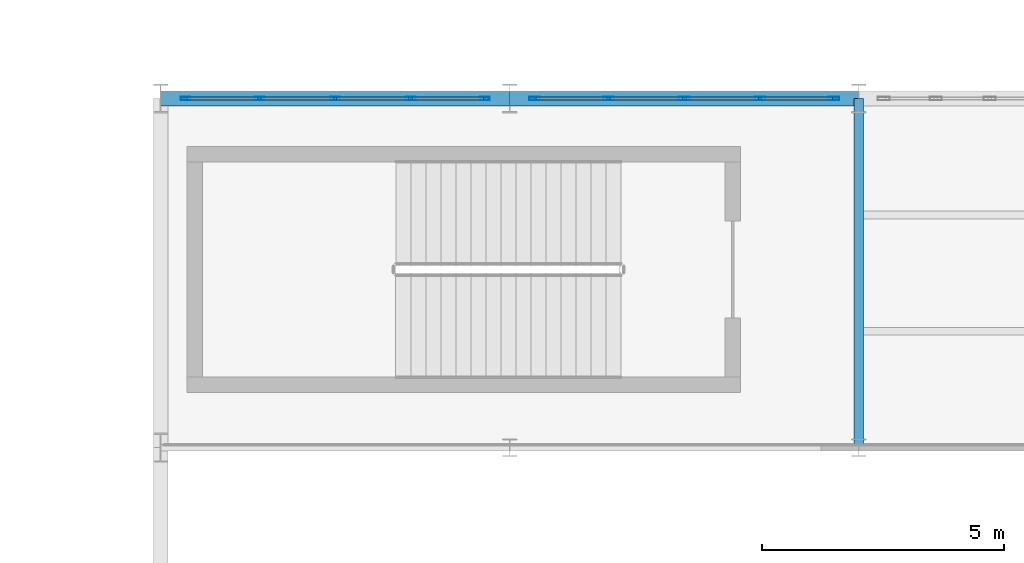
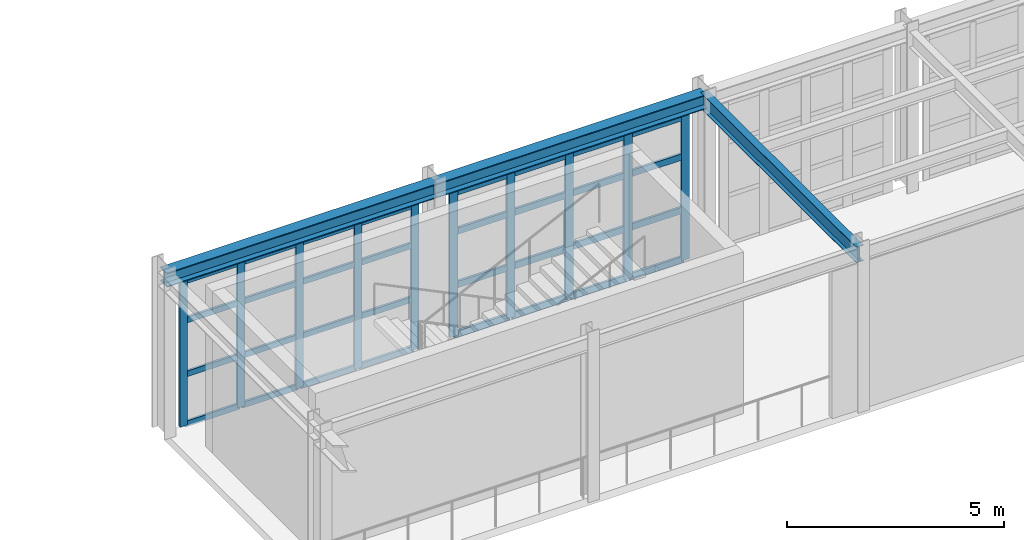
# One storey, part 59 of 121: 42 members, 3 beams, 2 elements without a shape of their own.
"""IFC4 building model written with IfcOpenShell, lengths in metres."""

from ifc_helpers import new_model, si_unit, direction, frame, origin, origin_2d, place, context, subcontext, project, spatial, hollow_rectangle, i_section, extrude, material, layer, layer_set, material_profile, profile_set, type_object, element, aggregate, save


model = new_model("IFC4")

# Units and contexts
model_context = context("Model", 3, precision=1e-05, world=origin(), true_north=direction((0.0, 1.0)))
body_context = subcontext(model_context, "Body", "Model", "MODEL_VIEW")
ifc_project = project(units=[si_unit("LENGTHUNIT", "METRE"), si_unit("AREAUNIT", "SQUARE_METRE"), si_unit("VOLUMEUNIT", "CUBIC_METRE"), si_unit("PLANEANGLEUNIT", "RADIAN"), si_unit("MASSUNIT", "GRAM", prefix="KILO")], contexts=[model_context])

# Site, building, storey
site_placement = place(None, origin())
site = spatial("IfcSite", under=ifc_project, at=site_placement, CompositionType="ELEMENT")
building_placement = place(site_placement, origin())
building = spatial("IfcBuilding", under=site, at=building_placement, Name="Solvadek Multi-Sports Hall", CompositionType="ELEMENT")
storey_placement = place(building_placement, frame((0.0, 0.0, 4.800048828125)))
storey = spatial("IfcBuildingStorey", under=building, at=storey_placement, Name="L01", CompositionType="ELEMENT", Elevation=4.800048828125)

# Curtain wall, members
ifc_material_1 = material(Name="Anodised aluminium", Category="aluminium")
ifc_layer_1 = layer(ifc_material_1, 0.159912109375, Name="Anodised aluminium")
ifc_layer_set_1 = layer_set([ifc_layer_1], Name="Anodised aluminium")
curtain_wall_type_1 = type_object("IfcCurtainWallType", Name="ENV-CW-624X410", PredefinedType="USERDEFINED", material=ifc_layer_set_1)
curtain_wall_1_placement = place(storey_placement, origin())
curtain_wall_1 = element("IfcCurtainWall", 1, at=curtain_wall_1_placement, inside=storey, type_object=curtain_wall_type_1, Name="L01 Perimeter Bay Curtain Wall #130", ObjectType="CURTAIN WALL", PredefinedType="USERDEFINED")
ifc_material_profile_1 = material_profile(ifc_material_1, hollow_rectangle(XDim=0.06494140625, YDim=0.199951171875, WallThickness=0.0048828125, at=origin_2d()), Name="ALU-M 200x65x5")
ifc_profile_set_1 = profile_set([ifc_material_profile_1], Name="Anodised aluminium")
member_type_1 = type_object("IfcMemberType", Name="ENV-CWM-03", PredefinedType="MULLION", material=ifc_profile_set_1)
member_1_placement = place(storey_placement, frame((137.3125, 70.800048828125, 0.0), z_axis=(0.0, 0.0, 1.0), x_axis=(0.0, 1.0, 0.0)))
member_1 = element("IfcMember", 2, at=member_1_placement, type_object=member_type_1, Name="CW-39 mullion 1", PredefinedType="MULLION", context=body_context, shape_type="SweptSolid", body=[
    extrude(hollow_rectangle(XDim=0.06494140625, YDim=0.199951171875, WallThickness=0.0048828125, at=origin_2d()), origin(), (0.0, 0.0, 1.0), 4.099853515625),
])
member_2_placement = place(storey_placement, frame((138.840087890625, 70.800048828125, 0.0), z_axis=(0.0, 0.0, 1.0), x_axis=(0.0, 1.0, 0.0)))
member_2 = element("IfcMember", 3, at=member_2_placement, type_object=member_type_1, Name="CW-39 mullion 2", PredefinedType="MULLION", context=body_context, shape_type="SweptSolid", body=[
    extrude(hollow_rectangle(XDim=0.06494140625, YDim=0.199951171875, WallThickness=0.0048828125, at=origin_2d()), origin(), (0.0, 0.0, 1.0), 4.099853515625),
])
member_3_placement = place(storey_placement, frame((140.39990234375, 70.800048828125, 0.0), z_axis=(0.0, 0.0, 1.0), x_axis=(0.0, 1.0, 0.0)))
member_3 = element("IfcMember", 4, at=member_3_placement, type_object=member_type_1, Name="CW-39 mullion 3", PredefinedType="MULLION", context=body_context, shape_type="SweptSolid", body=[
    extrude(hollow_rectangle(XDim=0.06494140625, YDim=0.199951171875, WallThickness=0.0048828125, at=origin_2d()), origin(), (0.0, 0.0, 1.0), 4.099853515625),
])
member_4_placement = place(storey_placement, frame((141.9599609375, 70.800048828125, 0.0), z_axis=(0.0, 0.0, 1.0), x_axis=(0.0, 1.0, 0.0)))
member_4 = element("IfcMember", 5, at=member_4_placement, type_object=member_type_1, Name="CW-39 mullion 4", PredefinedType="MULLION", context=body_context, shape_type="SweptSolid", body=[
    extrude(hollow_rectangle(XDim=0.06494140625, YDim=0.199951171875, WallThickness=0.0048828125, at=origin_2d()), origin(), (0.0, 0.0, 1.0), 4.099853515625),
])
member_5_placement = place(storey_placement, frame((143.487548828125, 70.800048828125, 0.0), z_axis=(0.0, 0.0, 1.0), x_axis=(0.0, 1.0, 0.0)))
member_5 = element("IfcMember", 6, at=member_5_placement, type_object=member_type_1, Name="CW-39 mullion 5", PredefinedType="MULLION", context=body_context, shape_type="SweptSolid", body=[
    extrude(hollow_rectangle(XDim=0.06494140625, YDim=0.199951171875, WallThickness=0.0048828125, at=origin_2d()), origin(), (0.0, 0.0, 1.0), 4.099853515625),
])

ifc_layer_2 = layer(ifc_material_1, 0.159912109375, Name="Anodised aluminium")
ifc_layer_set_2 = layer_set([ifc_layer_2], Name="Anodised aluminium")
curtain_wall_type_2 = type_object("IfcCurtainWallType", Name="ENV-CW-624X408", PredefinedType="USERDEFINED", material=ifc_layer_set_2)
curtain_wall_2_placement = place(storey_placement, origin())
curtain_wall_2 = element("IfcCurtainWall", 7, at=curtain_wall_2_placement, inside=storey, type_object=curtain_wall_type_2, Name="L01 Perimeter Bay Curtain Wall #133", ObjectType="CURTAIN WALL", PredefinedType="USERDEFINED")
ifc_material_profile_2 = material_profile(ifc_material_1, hollow_rectangle(XDim=0.06494140625, YDim=0.219970703125, WallThickness=0.0048828125, at=origin_2d()), Name="ALU-M 220x65x5")
ifc_profile_set_2 = profile_set([ifc_material_profile_2], Name="Anodised aluminium")
member_type_2 = type_object("IfcMemberType", Name="ENV-CWM-04", PredefinedType="MULLION", material=ifc_profile_set_2)
member_6_placement = place(storey_placement, frame((144.512451171875, 70.800048828125, 0.0), z_axis=(0.0, 0.0, 1.0), x_axis=(0.0, 1.0, 0.0)))
member_6 = element("IfcMember", 8, at=member_6_placement, type_object=member_type_2, Name="CW-40 mullion 1", PredefinedType="MULLION", context=body_context, shape_type="SweptSolid", body=[
    extrude(hollow_rectangle(XDim=0.06494140625, YDim=0.219970703125, WallThickness=0.0048828125, at=origin_2d()), origin(), (0.0, 0.0, 1.0), 4.074951171875),
])
member_7_placement = place(storey_placement, frame((146.0400390625, 70.800048828125, 0.0), z_axis=(0.0, 0.0, 1.0), x_axis=(0.0, 1.0, 0.0)))
member_7 = element("IfcMember", 9, at=member_7_placement, type_object=member_type_2, Name="CW-40 mullion 2", PredefinedType="MULLION", context=body_context, shape_type="SweptSolid", body=[
    extrude(hollow_rectangle(XDim=0.06494140625, YDim=0.219970703125, WallThickness=0.0048828125, at=origin_2d()), origin(), (0.0, 0.0, 1.0), 4.074951171875),
])
member_8_placement = place(storey_placement, frame((147.60009765625, 70.800048828125, 0.0), z_axis=(0.0, 0.0, 1.0), x_axis=(0.0, 1.0, 0.0)))
member_8 = element("IfcMember", 10, at=member_8_placement, type_object=member_type_2, Name="CW-40 mullion 3", PredefinedType="MULLION", context=body_context, shape_type="SweptSolid", body=[
    extrude(hollow_rectangle(XDim=0.06494140625, YDim=0.219970703125, WallThickness=0.0048828125, at=origin_2d()), origin(), (0.0, 0.0, 1.0), 4.074951171875),
])
member_9_placement = place(storey_placement, frame((149.159912109375, 70.800048828125, 0.0), z_axis=(0.0, 0.0, 1.0), x_axis=(0.0, 1.0, 0.0)))
member_9 = element("IfcMember", 11, at=member_9_placement, type_object=member_type_2, Name="CW-40 mullion 4", PredefinedType="MULLION", context=body_context, shape_type="SweptSolid", body=[
    extrude(hollow_rectangle(XDim=0.06494140625, YDim=0.219970703125, WallThickness=0.0048828125, at=origin_2d()), origin(), (0.0, 0.0, 1.0), 4.074951171875),
])
member_10_placement = place(storey_placement, frame((150.6875, 70.800048828125, 0.0), z_axis=(0.0, 0.0, 1.0), x_axis=(0.0, 1.0, 0.0)))
member_10 = element("IfcMember", 12, at=member_10_placement, type_object=member_type_2, Name="CW-40 mullion 5", PredefinedType="MULLION", context=body_context, shape_type="SweptSolid", body=[
    extrude(hollow_rectangle(XDim=0.06494140625, YDim=0.219970703125, WallThickness=0.0048828125, at=origin_2d()), origin(), (0.0, 0.0, 1.0), 4.074951171875),
])

# Member
ifc_material_profile_3 = material_profile(ifc_material_1, hollow_rectangle(XDim=0.06494140625, YDim=0.159912109375, WallThickness=0.00390625, at=origin_2d()), Name="ALU-T 160x65x4")
ifc_profile_set_3 = profile_set([ifc_material_profile_3], Name="Anodised aluminium")
member_type_3 = type_object("IfcMemberType", Name="ENV-CWT-03", PredefinedType="USERDEFINED", material=ifc_profile_set_3)
member_11_placement = place(storey_placement, frame((137.344970703125, 70.800048828125, 0.032470703125), z_axis=(1.0, 0.0, 0.0), x_axis=(0.0, 1.0, 0.0)))
member_11 = element("IfcMember", 13, at=member_11_placement, type_object=member_type_3, Name="CW-39 transom 1.1", ObjectType="TRANSOM", PredefinedType="USERDEFINED", context=body_context, shape_type="SweptSolid", body=[
    extrude(hollow_rectangle(XDim=0.06494140625, YDim=0.159912109375, WallThickness=0.00390625, at=origin_2d()), origin(), (0.0, 0.0, 1.0), 1.462646484375),
])

member_12_placement = place(storey_placement, frame((137.344970703125, 70.800048828125, 1.43505859375), z_axis=(1.0, 0.0, 0.0), x_axis=(0.0, 1.0, 0.0)))
member_12 = element("IfcMember", 14, at=member_12_placement, type_object=member_type_3, Name="CW-39 transom 1.2", ObjectType="TRANSOM", PredefinedType="USERDEFINED", context=body_context, shape_type="SweptSolid", body=[
    extrude(hollow_rectangle(XDim=0.06494140625, YDim=0.159912109375, WallThickness=0.00390625, at=origin_2d()), origin(), (0.0, 0.0, 1.0), 1.462646484375),
])

member_13_placement = place(storey_placement, frame((137.344970703125, 70.800048828125, 2.951904296875), z_axis=(1.0, 0.0, 0.0), x_axis=(0.0, 1.0, 0.0)))
member_13 = element("IfcMember", 15, at=member_13_placement, type_object=member_type_3, Name="CW-39 transom 1.3", ObjectType="TRANSOM", PredefinedType="USERDEFINED", context=body_context, shape_type="SweptSolid", body=[
    extrude(hollow_rectangle(XDim=0.06494140625, YDim=0.159912109375, WallThickness=0.00390625, at=origin_2d()), origin(), (0.0, 0.0, 1.0), 1.462646484375),
])

member_14_placement = place(storey_placement, frame((137.344970703125, 70.800048828125, 4.0673828125), z_axis=(1.0, 0.0, 0.0), x_axis=(0.0, 1.0, 0.0)))
member_14 = element("IfcMember", 16, at=member_14_placement, type_object=member_type_3, Name="CW-39 transom 1.4", ObjectType="TRANSOM", PredefinedType="USERDEFINED", context=body_context, shape_type="SweptSolid", body=[
    extrude(hollow_rectangle(XDim=0.06494140625, YDim=0.159912109375, WallThickness=0.00390625, at=origin_2d()), origin(), (0.0, 0.0, 1.0), 1.462646484375),
])

member_15_placement = place(storey_placement, frame((138.87255859375, 70.800048828125, 0.032470703125), z_axis=(1.0, 0.0, 0.0), x_axis=(0.0, 1.0, 0.0)))
member_15 = element("IfcMember", 17, at=member_15_placement, type_object=member_type_3, Name="CW-39 transom 2.1", ObjectType="TRANSOM", PredefinedType="USERDEFINED", context=body_context, shape_type="SweptSolid", body=[
    extrude(hollow_rectangle(XDim=0.06494140625, YDim=0.159912109375, WallThickness=0.00390625, at=origin_2d()), origin(), (0.0, 0.0, 1.0), 1.494873046875),
])

member_16_placement = place(storey_placement, frame((138.87255859375, 70.800048828125, 1.43505859375), z_axis=(1.0, 0.0, 0.0), x_axis=(0.0, 1.0, 0.0)))
member_16 = element("IfcMember", 18, at=member_16_placement, type_object=member_type_3, Name="CW-39 transom 2.2", ObjectType="TRANSOM", PredefinedType="USERDEFINED", context=body_context, shape_type="SweptSolid", body=[
    extrude(hollow_rectangle(XDim=0.06494140625, YDim=0.159912109375, WallThickness=0.00390625, at=origin_2d()), origin(), (0.0, 0.0, 1.0), 1.494873046875),
])

member_17_placement = place(storey_placement, frame((138.87255859375, 70.800048828125, 2.951904296875), z_axis=(1.0, 0.0, 0.0), x_axis=(0.0, 1.0, 0.0)))
member_17 = element("IfcMember", 19, at=member_17_placement, type_object=member_type_3, Name="CW-39 transom 2.3", ObjectType="TRANSOM", PredefinedType="USERDEFINED", context=body_context, shape_type="SweptSolid", body=[
    extrude(hollow_rectangle(XDim=0.06494140625, YDim=0.159912109375, WallThickness=0.00390625, at=origin_2d()), origin(), (0.0, 0.0, 1.0), 1.494873046875),
])

member_18_placement = place(storey_placement, frame((138.87255859375, 70.800048828125, 4.0673828125), z_axis=(1.0, 0.0, 0.0), x_axis=(0.0, 1.0, 0.0)))
member_18 = element("IfcMember", 20, at=member_18_placement, type_object=member_type_3, Name="CW-39 transom 2.4", ObjectType="TRANSOM", PredefinedType="USERDEFINED", context=body_context, shape_type="SweptSolid", body=[
    extrude(hollow_rectangle(XDim=0.06494140625, YDim=0.159912109375, WallThickness=0.00390625, at=origin_2d()), origin(), (0.0, 0.0, 1.0), 1.494873046875),
])

member_19_placement = place(storey_placement, frame((140.4326171875, 70.800048828125, 0.032470703125), z_axis=(1.0, 0.0, 0.0), x_axis=(0.0, 1.0, 0.0)))
member_19 = element("IfcMember", 21, at=member_19_placement, type_object=member_type_3, Name="CW-39 transom 3.1", ObjectType="TRANSOM", PredefinedType="USERDEFINED", context=body_context, shape_type="SweptSolid", body=[
    extrude(hollow_rectangle(XDim=0.06494140625, YDim=0.159912109375, WallThickness=0.00390625, at=origin_2d()), origin(), (0.0, 0.0, 1.0), 1.494873046875),
])

member_20_placement = place(storey_placement, frame((140.4326171875, 70.800048828125, 1.43505859375), z_axis=(1.0, 0.0, 0.0), x_axis=(0.0, 1.0, 0.0)))
member_20 = element("IfcMember", 22, at=member_20_placement, type_object=member_type_3, Name="CW-39 transom 3.2", ObjectType="TRANSOM", PredefinedType="USERDEFINED", context=body_context, shape_type="SweptSolid", body=[
    extrude(hollow_rectangle(XDim=0.06494140625, YDim=0.159912109375, WallThickness=0.00390625, at=origin_2d()), origin(), (0.0, 0.0, 1.0), 1.494873046875),
])

member_21_placement = place(storey_placement, frame((140.4326171875, 70.800048828125, 2.951904296875), z_axis=(1.0, 0.0, 0.0), x_axis=(0.0, 1.0, 0.0)))
member_21 = element("IfcMember", 23, at=member_21_placement, type_object=member_type_3, Name="CW-39 transom 3.3", ObjectType="TRANSOM", PredefinedType="USERDEFINED", context=body_context, shape_type="SweptSolid", body=[
    extrude(hollow_rectangle(XDim=0.06494140625, YDim=0.159912109375, WallThickness=0.00390625, at=origin_2d()), origin(), (0.0, 0.0, 1.0), 1.494873046875),
])

member_22_placement = place(storey_placement, frame((140.4326171875, 70.800048828125, 4.0673828125), z_axis=(1.0, 0.0, 0.0), x_axis=(0.0, 1.0, 0.0)))
member_22 = element("IfcMember", 24, at=member_22_placement, type_object=member_type_3, Name="CW-39 transom 3.4", ObjectType="TRANSOM", PredefinedType="USERDEFINED", context=body_context, shape_type="SweptSolid", body=[
    extrude(hollow_rectangle(XDim=0.06494140625, YDim=0.159912109375, WallThickness=0.00390625, at=origin_2d()), origin(), (0.0, 0.0, 1.0), 1.494873046875),
])

member_23_placement = place(storey_placement, frame((141.992431640625, 70.800048828125, 0.032470703125), z_axis=(1.0, 0.0, 0.0), x_axis=(0.0, 1.0, 0.0)))
member_23 = element("IfcMember", 25, at=member_23_placement, type_object=member_type_3, Name="CW-39 transom 4.1", ObjectType="TRANSOM", PredefinedType="USERDEFINED", context=body_context, shape_type="SweptSolid", body=[
    extrude(hollow_rectangle(XDim=0.06494140625, YDim=0.159912109375, WallThickness=0.00390625, at=origin_2d()), origin(), (0.0, 0.0, 1.0), 1.462646484375),
])

member_24_placement = place(storey_placement, frame((141.992431640625, 70.800048828125, 1.43505859375), z_axis=(1.0, 0.0, 0.0), x_axis=(0.0, 1.0, 0.0)))
member_24 = element("IfcMember", 26, at=member_24_placement, type_object=member_type_3, Name="CW-39 transom 4.2", ObjectType="TRANSOM", PredefinedType="USERDEFINED", context=body_context, shape_type="SweptSolid", body=[
    extrude(hollow_rectangle(XDim=0.06494140625, YDim=0.159912109375, WallThickness=0.00390625, at=origin_2d()), origin(), (0.0, 0.0, 1.0), 1.462646484375),
])

member_25_placement = place(storey_placement, frame((141.992431640625, 70.800048828125, 2.951904296875), z_axis=(1.0, 0.0, 0.0), x_axis=(0.0, 1.0, 0.0)))
member_25 = element("IfcMember", 27, at=member_25_placement, type_object=member_type_3, Name="CW-39 transom 4.3", ObjectType="TRANSOM", PredefinedType="USERDEFINED", context=body_context, shape_type="SweptSolid", body=[
    extrude(hollow_rectangle(XDim=0.06494140625, YDim=0.159912109375, WallThickness=0.00390625, at=origin_2d()), origin(), (0.0, 0.0, 1.0), 1.462646484375),
])

member_26_placement = place(storey_placement, frame((141.992431640625, 70.800048828125, 4.0673828125), z_axis=(1.0, 0.0, 0.0), x_axis=(0.0, 1.0, 0.0)))
member_26 = element("IfcMember", 28, at=member_26_placement, type_object=member_type_3, Name="CW-39 transom 4.4", ObjectType="TRANSOM", PredefinedType="USERDEFINED", context=body_context, shape_type="SweptSolid", body=[
    extrude(hollow_rectangle(XDim=0.06494140625, YDim=0.159912109375, WallThickness=0.00390625, at=origin_2d()), origin(), (0.0, 0.0, 1.0), 1.462646484375),
])

aggregate(curtain_wall_1, [member_1, member_2, member_3, member_4, member_5, member_11, member_12, member_13, member_14, member_15, member_16, member_17, member_18, member_19, member_20, member_21, member_22, member_23, member_24, member_25, member_26])

ifc_material_profile_4 = material_profile(ifc_material_1, hollow_rectangle(XDim=0.06494140625, YDim=0.179931640625, WallThickness=0.0048828125, at=origin_2d()), Name="ALU-T 180x65x5")
ifc_profile_set_4 = profile_set([ifc_material_profile_4], Name="Anodised aluminium")
member_type_4 = type_object("IfcMemberType", Name="ENV-CWT-04", PredefinedType="USERDEFINED", material=ifc_profile_set_4)
member_27_placement = place(storey_placement, frame((144.544921875, 70.800048828125, 0.032470703125), z_axis=(1.0, 0.0, 0.0), x_axis=(0.0, 1.0, 0.0)))
member_27 = element("IfcMember", 29, at=member_27_placement, type_object=member_type_4, Name="CW-40 transom 1.1", ObjectType="TRANSOM", PredefinedType="USERDEFINED", context=body_context, shape_type="SweptSolid", body=[
    extrude(hollow_rectangle(XDim=0.06494140625, YDim=0.179931640625, WallThickness=0.0048828125, at=origin_2d()), origin(), (0.0, 0.0, 1.0), 1.462646484375),
])

member_28_placement = place(storey_placement, frame((144.544921875, 70.800048828125, 1.426025390625), z_axis=(1.0, 0.0, 0.0), x_axis=(0.0, 1.0, 0.0)))
member_28 = element("IfcMember", 30, at=member_28_placement, type_object=member_type_4, Name="CW-40 transom 1.2", ObjectType="TRANSOM", PredefinedType="USERDEFINED", context=body_context, shape_type="SweptSolid", body=[
    extrude(hollow_rectangle(XDim=0.06494140625, YDim=0.179931640625, WallThickness=0.0048828125, at=origin_2d()), origin(), (0.0, 0.0, 1.0), 1.462646484375),
])

member_29_placement = place(storey_placement, frame((144.544921875, 70.800048828125, 2.933837890625), z_axis=(1.0, 0.0, 0.0), x_axis=(0.0, 1.0, 0.0)))
member_29 = element("IfcMember", 31, at=member_29_placement, type_object=member_type_4, Name="CW-40 transom 1.3", ObjectType="TRANSOM", PredefinedType="USERDEFINED", context=body_context, shape_type="SweptSolid", body=[
    extrude(hollow_rectangle(XDim=0.06494140625, YDim=0.179931640625, WallThickness=0.0048828125, at=origin_2d()), origin(), (0.0, 0.0, 1.0), 1.462646484375),
])

member_30_placement = place(storey_placement, frame((144.544921875, 70.800048828125, 4.04248046875), z_axis=(1.0, 0.0, 0.0), x_axis=(0.0, 1.0, 0.0)))
member_30 = element("IfcMember", 32, at=member_30_placement, type_object=member_type_4, Name="CW-40 transom 1.4", ObjectType="TRANSOM", PredefinedType="USERDEFINED", context=body_context, shape_type="SweptSolid", body=[
    extrude(hollow_rectangle(XDim=0.06494140625, YDim=0.179931640625, WallThickness=0.0048828125, at=origin_2d()), origin(), (0.0, 0.0, 1.0), 1.462646484375),
])

member_31_placement = place(storey_placement, frame((146.072509765625, 70.800048828125, 0.032470703125), z_axis=(1.0, 0.0, 0.0), x_axis=(0.0, 1.0, 0.0)))
member_31 = element("IfcMember", 33, at=member_31_placement, type_object=member_type_4, Name="CW-40 transom 2.1", ObjectType="TRANSOM", PredefinedType="USERDEFINED", context=body_context, shape_type="SweptSolid", body=[
    extrude(hollow_rectangle(XDim=0.06494140625, YDim=0.179931640625, WallThickness=0.0048828125, at=origin_2d()), origin(), (0.0, 0.0, 1.0), 1.494873046875),
])

member_32_placement = place(storey_placement, frame((146.072509765625, 70.800048828125, 1.426025390625), z_axis=(1.0, 0.0, 0.0), x_axis=(0.0, 1.0, 0.0)))
member_32 = element("IfcMember", 34, at=member_32_placement, type_object=member_type_4, Name="CW-40 transom 2.2", ObjectType="TRANSOM", PredefinedType="USERDEFINED", context=body_context, shape_type="SweptSolid", body=[
    extrude(hollow_rectangle(XDim=0.06494140625, YDim=0.179931640625, WallThickness=0.0048828125, at=origin_2d()), origin(), (0.0, 0.0, 1.0), 1.494873046875),
])

member_33_placement = place(storey_placement, frame((146.072509765625, 70.800048828125, 2.933837890625), z_axis=(1.0, 0.0, 0.0), x_axis=(0.0, 1.0, 0.0)))
member_33 = element("IfcMember", 35, at=member_33_placement, type_object=member_type_4, Name="CW-40 transom 2.3", ObjectType="TRANSOM", PredefinedType="USERDEFINED", context=body_context, shape_type="SweptSolid", body=[
    extrude(hollow_rectangle(XDim=0.06494140625, YDim=0.179931640625, WallThickness=0.0048828125, at=origin_2d()), origin(), (0.0, 0.0, 1.0), 1.494873046875),
])

member_34_placement = place(storey_placement, frame((146.072509765625, 70.800048828125, 4.04248046875), z_axis=(1.0, 0.0, 0.0), x_axis=(0.0, 1.0, 0.0)))
member_34 = element("IfcMember", 36, at=member_34_placement, type_object=member_type_4, Name="CW-40 transom 2.4", ObjectType="TRANSOM", PredefinedType="USERDEFINED", context=body_context, shape_type="SweptSolid", body=[
    extrude(hollow_rectangle(XDim=0.06494140625, YDim=0.179931640625, WallThickness=0.0048828125, at=origin_2d()), origin(), (0.0, 0.0, 1.0), 1.494873046875),
])

member_35_placement = place(storey_placement, frame((147.632568359375, 70.800048828125, 0.032470703125), z_axis=(1.0, 0.0, 0.0), x_axis=(0.0, 1.0, 0.0)))
member_35 = element("IfcMember", 37, at=member_35_placement, type_object=member_type_4, Name="CW-40 transom 3.1", ObjectType="TRANSOM", PredefinedType="USERDEFINED", context=body_context, shape_type="SweptSolid", body=[
    extrude(hollow_rectangle(XDim=0.06494140625, YDim=0.179931640625, WallThickness=0.0048828125, at=origin_2d()), origin(), (0.0, 0.0, 1.0), 1.494873046875),
])

member_36_placement = place(storey_placement, frame((147.632568359375, 70.800048828125, 1.426025390625), z_axis=(1.0, 0.0, 0.0), x_axis=(0.0, 1.0, 0.0)))
member_36 = element("IfcMember", 38, at=member_36_placement, type_object=member_type_4, Name="CW-40 transom 3.2", ObjectType="TRANSOM", PredefinedType="USERDEFINED", context=body_context, shape_type="SweptSolid", body=[
    extrude(hollow_rectangle(XDim=0.06494140625, YDim=0.179931640625, WallThickness=0.0048828125, at=origin_2d()), origin(), (0.0, 0.0, 1.0), 1.494873046875),
])

member_37_placement = place(storey_placement, frame((147.632568359375, 70.800048828125, 2.933837890625), z_axis=(1.0, 0.0, 0.0), x_axis=(0.0, 1.0, 0.0)))
member_37 = element("IfcMember", 39, at=member_37_placement, type_object=member_type_4, Name="CW-40 transom 3.3", ObjectType="TRANSOM", PredefinedType="USERDEFINED", context=body_context, shape_type="SweptSolid", body=[
    extrude(hollow_rectangle(XDim=0.06494140625, YDim=0.179931640625, WallThickness=0.0048828125, at=origin_2d()), origin(), (0.0, 0.0, 1.0), 1.494873046875),
])

member_38_placement = place(storey_placement, frame((147.632568359375, 70.800048828125, 4.04248046875), z_axis=(1.0, 0.0, 0.0), x_axis=(0.0, 1.0, 0.0)))
member_38 = element("IfcMember", 40, at=member_38_placement, type_object=member_type_4, Name="CW-40 transom 3.4", ObjectType="TRANSOM", PredefinedType="USERDEFINED", context=body_context, shape_type="SweptSolid", body=[
    extrude(hollow_rectangle(XDim=0.06494140625, YDim=0.179931640625, WallThickness=0.0048828125, at=origin_2d()), origin(), (0.0, 0.0, 1.0), 1.494873046875),
])

member_39_placement = place(storey_placement, frame((149.1923828125, 70.800048828125, 0.032470703125), z_axis=(1.0, 0.0, 0.0), x_axis=(0.0, 1.0, 0.0)))
member_39 = element("IfcMember", 41, at=member_39_placement, type_object=member_type_4, Name="CW-40 transom 4.1", ObjectType="TRANSOM", PredefinedType="USERDEFINED", context=body_context, shape_type="SweptSolid", body=[
    extrude(hollow_rectangle(XDim=0.06494140625, YDim=0.179931640625, WallThickness=0.0048828125, at=origin_2d()), origin(), (0.0, 0.0, 1.0), 1.462646484375),
])

member_40_placement = place(storey_placement, frame((149.1923828125, 70.800048828125, 1.426025390625), z_axis=(1.0, 0.0, 0.0), x_axis=(0.0, 1.0, 0.0)))
member_40 = element("IfcMember", 42, at=member_40_placement, type_object=member_type_4, Name="CW-40 transom 4.2", ObjectType="TRANSOM", PredefinedType="USERDEFINED", context=body_context, shape_type="SweptSolid", body=[
    extrude(hollow_rectangle(XDim=0.06494140625, YDim=0.179931640625, WallThickness=0.0048828125, at=origin_2d()), origin(), (0.0, 0.0, 1.0), 1.462646484375),
])

member_41_placement = place(storey_placement, frame((149.1923828125, 70.800048828125, 2.933837890625), z_axis=(1.0, 0.0, 0.0), x_axis=(0.0, 1.0, 0.0)))
member_41 = element("IfcMember", 43, at=member_41_placement, type_object=member_type_4, Name="CW-40 transom 4.3", ObjectType="TRANSOM", PredefinedType="USERDEFINED", context=body_context, shape_type="SweptSolid", body=[
    extrude(hollow_rectangle(XDim=0.06494140625, YDim=0.179931640625, WallThickness=0.0048828125, at=origin_2d()), origin(), (0.0, 0.0, 1.0), 1.462646484375),
])

member_42_placement = place(storey_placement, frame((149.1923828125, 70.800048828125, 4.04248046875), z_axis=(1.0, 0.0, 0.0), x_axis=(0.0, 1.0, 0.0)))
member_42 = element("IfcMember", 44, at=member_42_placement, type_object=member_type_4, Name="CW-40 transom 4.4", ObjectType="TRANSOM", PredefinedType="USERDEFINED", context=body_context, shape_type="SweptSolid", body=[
    extrude(hollow_rectangle(XDim=0.06494140625, YDim=0.179931640625, WallThickness=0.0048828125, at=origin_2d()), origin(), (0.0, 0.0, 1.0), 1.462646484375),
])

aggregate(curtain_wall_2, [member_6, member_7, member_8, member_9, member_10, member_27, member_28, member_29, member_30, member_31, member_32, member_33, member_34, member_35, member_36, member_37, member_38, member_39, member_40, member_41, member_42])

# Beams
ifc_material_2 = material(Name="Steel E350 (350 MPa)", Category="steel")
ifc_material_profile_5 = material_profile(ifc_material_2, i_section(OverallWidth=0.18994140625, OverallDepth=0.449951171875, WebThickness=0.009521484375, FlangeThickness=0.0146484375, at=origin_2d()), Name="NPB 450")
ifc_profile_set_5 = profile_set([ifc_material_profile_5], Name="Steel E350 (350 MPa)")
beam_type_1 = type_object("IfcBeamType", Name="STR-BM-NPB450", PredefinedType="BEAM", material=ifc_profile_set_5)
beam_placement = place(storey_placement, frame((151.199951171875, 63.60009765625, 4.3349609375), z_axis=(0.0, 1.0, 0.0), x_axis=(-1.0, 0.0, 0.0)))
element("IfcBeam", 45, at=beam_placement, inside=storey, type_object=beam_type_1, Name="L01 Girder B-08 #1303", PredefinedType="BEAM", context=body_context, shape_type="SweptSolid", body=[
    extrude(i_section(OverallWidth=0.18994140625, OverallDepth=0.449951171875, WebThickness=0.009521484375, FlangeThickness=0.0146484375, at=origin_2d()), origin(), (0.0, 0.0, 1.0), 7.199951171875),
])
ifc_material_profile_6 = material_profile(ifc_material_2, i_section(OverallWidth=0.300048828125, OverallDepth=0.39990234375, WebThickness=0.013427734375, FlangeThickness=0.02392578125, at=origin_2d()), Name="WPB 400")
ifc_profile_set_6 = profile_set([ifc_material_profile_6], Name="Steel E350 (350 MPa)")
beam_type_2 = type_object("IfcBeamType", Name="STR-SPN-WPB400", PredefinedType="SPANDREL", material=ifc_profile_set_6)
for number, where, z_axis, x_axis, name in (
    (46, (136.800048828125, 70.800048828125, 4.35986328125), (1.0, 0.0, 0.0), (0.0, 1.0, 0.0), "L01 Girder SP-02 #1056"),
    (47, (144.0, 70.800048828125, 4.35986328125), (1.0, 0.0, 0.0), (0.0, 1.0, 0.0), "L01 Girder SP-02 #1057"),
):
    element("IfcBeam", number, at=place(storey_placement, frame(where, z_axis=z_axis, x_axis=x_axis)), inside=storey, type_object=beam_type_2, Name=name, PredefinedType="SPANDREL", context=body_context, shape_type="SweptSolid", body=[
        extrude(i_section(OverallWidth=0.300048828125, OverallDepth=0.39990234375, WebThickness=0.013427734375, FlangeThickness=0.02392578125, at=origin_2d()), origin(), (0.0, 0.0, 1.0), 7.199951171875),
    ])

save(model, "model.ifc")
